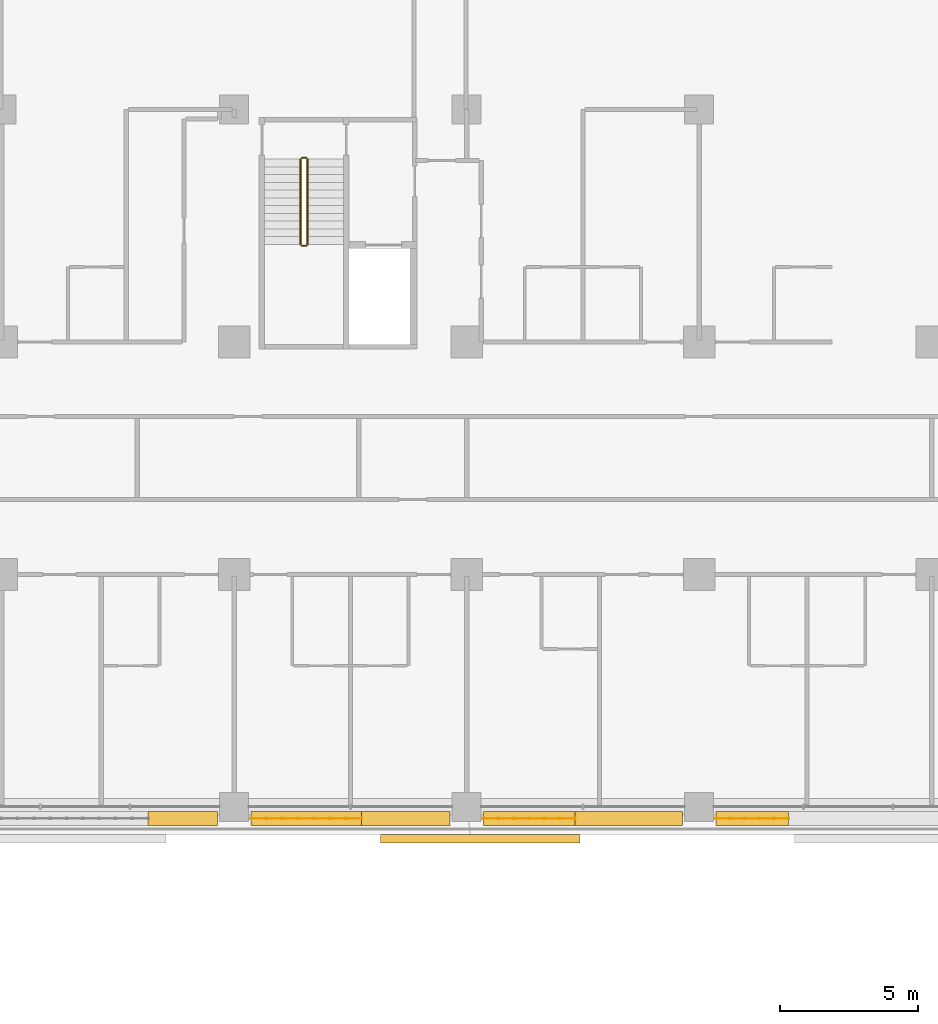
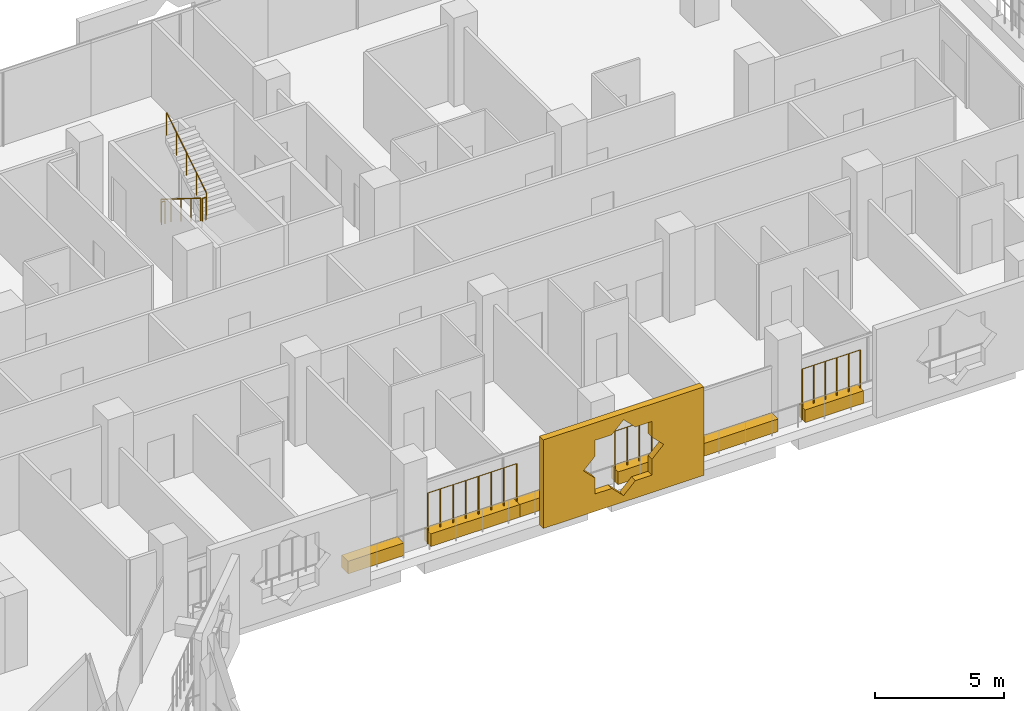
# One storey, part 23 of 25: 7 coverings, 7 railings.
"""IFC4 building model written with IfcOpenShell, lengths in metres."""

from ifc_helpers import new_model, si_unit, direction, frame, origin, origin_2d, place, context, subcontext, project, spatial, polyline, rectangle, circle, outline, extrude, material, material_profile, profile_set, type_object, element, save


model = new_model("IFC4")

# Units and contexts
model_context = context("Model", 3, precision=1e-05, world=origin(), true_north=direction((0.0, 1.0)))
body_context = subcontext(model_context, "Body", "Model", "MODEL_VIEW")
ifc_project = project(units=[si_unit("LENGTHUNIT", "METRE"), si_unit("AREAUNIT", "SQUARE_METRE"), si_unit("VOLUMEUNIT", "CUBIC_METRE"), si_unit("PLANEANGLEUNIT", "RADIAN"), si_unit("MASSUNIT", "GRAM", prefix="KILO")], contexts=[model_context])

# Site, building, storey
site_placement = place(None, origin())
site = spatial("IfcSite", under=ifc_project, at=site_placement, CompositionType="ELEMENT")
building_placement = place(site_placement, origin())
building = spatial("IfcBuilding", under=site, at=building_placement, Name="Kawkab Arch Medical Tower", CompositionType="ELEMENT")
storey_placement = place(building_placement, frame((0.0, 0.0, 136.60009765625)))
storey = spatial("IfcBuildingStorey", under=building, at=storey_placement, Name="L31", CompositionType="ELEMENT", Elevation=136.60009765625)

# Coverings
ifc_material_1 = material(Name="Bronze anodised aluminium mashrabiya panel, eight-point star pattern", Category="aluminium")
ifc_material_profile_1 = material_profile(ifc_material_1, outline(polyline([(-3.60009765625, -2.10009765625), (3.60009765625, -2.10009765625), (3.60009765625, 2.10009765625), (-3.60009765625, 2.10009765625), (-3.60009765625, -2.10009765625)]), holes=[polyline([(1.800048828125, 0.0), (1.272705078125, 0.527099609375), (1.272705078125, 1.272705078125), (0.527099609375, 1.272705078125), (0.0, 1.800048828125), (-0.527099609375, 1.272705078125), (-1.272705078125, 1.272705078125), (-1.272705078125, 0.527099609375), (-1.800048828125, 0.0), (-1.272705078125, -0.527099609375), (-1.272705078125, -1.272705078125), (-0.527099609375, -1.272705078125), (0.0, -1.800048828125), (0.527099609375, -1.272705078125), (1.272705078125, -1.272705078125), (1.272705078125, -0.527099609375), (1.800048828125, 0.0)])]), Name="Mashrabiya panel 7200x4200")
ifc_profile_set_1 = profile_set([ifc_material_profile_1], Name="Bronze anodised aluminium mashrabiya panel, eight-point star pattern")
covering_type_1 = type_object("IfcCoveringType", Name="Mashrabiya panel 7200 x 4200", PredefinedType="USERDEFINED", material=ifc_profile_set_1)
covering_1_placement = place(storey_placement, frame((50.892333984375, -26.199951171875, 1.699951171875), z_axis=(0.0, -1.0, 0.0), x_axis=(1.0, 0.0, 0.0)))
element("IfcCovering", 1, at=covering_1_placement, inside=storey, type_object=covering_type_1, Name="Mashrabiya panel L31.LOG-01-01.12", ObjectType="SCREEN", PredefinedType="USERDEFINED", context=body_context, shape_type="SweptSolid", body=[
    extrude(outline(polyline([(-3.60009765625, -2.10009765625), (3.60009765625, -2.10009765625), (3.60009765625, 2.10009765625), (-3.60009765625, 2.10009765625), (-3.60009765625, -2.10009765625)]), holes=[polyline([(1.800048828125, 0.0), (1.272705078125, 0.527099609375), (1.272705078125, 1.272705078125), (0.527099609375, 1.272705078125), (0.0, 1.800048828125), (-0.527099609375, 1.272705078125), (-1.272705078125, 1.272705078125), (-1.272705078125, 0.527099609375), (-1.800048828125, 0.0), (-1.272705078125, -0.527099609375), (-1.272705078125, -1.272705078125), (-0.527099609375, -1.272705078125), (0.0, -1.800048828125), (0.527099609375, -1.272705078125), (1.272705078125, -1.272705078125), (1.272705078125, -0.527099609375), (1.800048828125, 0.0)])]), origin(), (0.0, 0.0, 1.0), 0.300048828125),
])
ifc_material_2 = material(Name="Planting soil in a precast trough", Category="concrete")
ifc_material_profile_2 = material_profile(ifc_material_2, rectangle(XDim=0.5, YDim=0.60009765625, at=origin_2d()), Name="Trough 500x600")
ifc_profile_set_2 = profile_set([ifc_material_profile_2], Name="Planting soil in a precast trough")
covering_type_2 = type_object("IfcCoveringType", Name="Planter trough 500 x 600", PredefinedType="USERDEFINED", material=ifc_profile_set_2)
covering_2_placement = place(storey_placement, frame((62.01806640625, -25.6201171875, 0.2998046875), z_axis=(-1.0, 0.0, 0.0), x_axis=(0.0, -1.0, 0.0)))
element("IfcCovering", 2, at=covering_2_placement, inside=storey, type_object=covering_type_2, Name="Planter L31.LOG-01-01.35", ObjectType="PLANTER", PredefinedType="USERDEFINED", context=body_context, shape_type="SweptSolid", body=[
    extrude(rectangle(XDim=0.5, YDim=0.60009765625, at=origin_2d()), origin(), (0.0, 0.0, 1.0), 2.613037109375),
])
covering_3_placement = place(storey_placement, frame((58.195068359375, -25.6201171875, 0.2998046875), z_axis=(-1.0, 0.0, 0.0), x_axis=(0.0, -1.0, 0.0)))
element("IfcCovering", 3, at=covering_3_placement, inside=storey, type_object=covering_type_2, Name="Planter L31.LOG-01-01.36", ObjectType="PLANTER", PredefinedType="USERDEFINED", context=body_context, shape_type="SweptSolid", body=[
    extrude(rectangle(XDim=0.5, YDim=0.60009765625, at=origin_2d()), origin(), (0.0, 0.0, 1.0), 3.885986328125),
])
covering_4_placement = place(storey_placement, frame((54.30908203125, -25.6201171875, 0.2998046875), z_axis=(-1.0, 0.0, 0.0), x_axis=(0.0, -1.0, 0.0)))
element("IfcCovering", 4, at=covering_4_placement, inside=storey, type_object=covering_type_2, Name="Planter L31.LOG-01-01.37", ObjectType="PLANTER", PredefinedType="USERDEFINED", context=body_context, shape_type="SweptSolid", body=[
    extrude(rectangle(XDim=0.5, YDim=0.60009765625, at=origin_2d()), origin(), (0.0, 0.0, 1.0), 3.30419921875),
])
covering_5_placement = place(storey_placement, frame((49.794921875, -25.6201171875, 0.2998046875), z_axis=(-1.0, 0.0, 0.0), x_axis=(0.0, -1.0, 0.0)))
element("IfcCovering", 5, at=covering_5_placement, inside=storey, type_object=covering_type_2, Name="Planter L31.LOG-01-01.38", ObjectType="PLANTER", PredefinedType="USERDEFINED", context=body_context, shape_type="SweptSolid", body=[
    extrude(rectangle(XDim=0.5, YDim=0.60009765625, at=origin_2d()), origin(), (0.0, 0.0, 1.0), 3.19384765625),
])
covering_6_placement = place(storey_placement, frame((46.60107421875, -25.6201171875, 0.2998046875), z_axis=(-1.0, 0.0, 0.0), x_axis=(0.0, -1.0, 0.0)))
element("IfcCovering", 6, at=covering_6_placement, inside=storey, type_object=covering_type_2, Name="Planter L31.LOG-01-01.39", ObjectType="PLANTER", PredefinedType="USERDEFINED", context=body_context, shape_type="SweptSolid", body=[
    extrude(rectangle(XDim=0.5, YDim=0.60009765625, at=origin_2d()), origin(), (0.0, 0.0, 1.0), 3.99609375),
])
covering_7_placement = place(storey_placement, frame((41.39501953125, -25.6201171875, 0.2998046875), z_axis=(-1.0, 0.0, 0.0), x_axis=(0.0, -1.0, 0.0)))
element("IfcCovering", 7, at=covering_7_placement, inside=storey, type_object=covering_type_2, Name="Planter L31.LOG-01-01.40", ObjectType="PLANTER", PredefinedType="USERDEFINED", context=body_context, shape_type="SweptSolid", body=[
    extrude(rectangle(XDim=0.5, YDim=0.60009765625, at=origin_2d()), origin(), (0.0, 0.0, 1.0), 2.501953125),
])

# Railings
ifc_material_3 = material(Name="Bronze anodised aluminium trellis for climbing plants", Category="aluminium")
railing_type_1 = type_object("IfcRailingType", Name="Planting trellis 2400", PredefinedType="USERDEFINED", material=ifc_material_3)
railing_1_placement = place(storey_placement, frame((62.01806640625, -25.6201171875, 0.0)))
element("IfcRailing", 8, at=railing_1_placement, inside=storey, type_object=railing_type_1, Name="Planting trellis L31.LOG-01-01.35", ObjectType="TRELLIS", PredefinedType="USERDEFINED", context=body_context, shape_type="SweptSolid", body=[
    extrude(circle(Radius=0.01513671875, at=origin_2d()), frame((0.0, 0.0, 2.384765625), z_axis=(-1.0, 0.0, 0.0), x_axis=(0.0, -1.0, 0.0)), (0.0, 0.0, 1.0), 2.613037109375),
    extrude(circle(Radius=0.030029296875, at=origin_2d()), origin(), (0.0, 0.0, 1.0), 2.369873046875),
    extrude(circle(Radius=0.030029296875, at=origin_2d()), frame((-0.522705078125, 0.0, 0.0)), (0.0, 0.0, 1.0), 2.369873046875),
    extrude(circle(Radius=0.030029296875, at=origin_2d()), frame((-1.045166015625, 0.0, 0.0)), (0.0, 0.0, 1.0), 2.369873046875),
    extrude(circle(Radius=0.030029296875, at=origin_2d()), frame((-1.56787109375, 0.0, 0.0)), (0.0, 0.0, 1.0), 2.369873046875),
    extrude(circle(Radius=0.030029296875, at=origin_2d()), frame((-2.09033203125, 0.0, 0.0)), (0.0, 0.0, 1.0), 2.369873046875),
    extrude(circle(Radius=0.030029296875, at=origin_2d()), frame((-2.613037109375, 0.0, 0.0)), (0.0, 0.0, 1.0), 2.369873046875),
])
railing_2_placement = place(storey_placement, frame((54.30908203125, -25.6201171875, 0.0)))
element("IfcRailing", 9, at=railing_2_placement, inside=storey, type_object=railing_type_1, Name="Planting trellis L31.LOG-01-01.37", ObjectType="TRELLIS", PredefinedType="USERDEFINED", context=body_context, shape_type="SweptSolid", body=[
    extrude(circle(Radius=0.01513671875, at=origin_2d()), frame((0.0, 0.0, 2.384765625), z_axis=(-1.0, 0.0, 0.0), x_axis=(0.0, -1.0, 0.0)), (0.0, 0.0, 1.0), 3.30419921875),
    extrude(circle(Radius=0.030029296875, at=origin_2d()), origin(), (0.0, 0.0, 1.0), 2.369873046875),
    extrude(circle(Radius=0.030029296875, at=origin_2d()), frame((-0.55078125, 0.0, 0.0)), (0.0, 0.0, 1.0), 2.369873046875),
    extrude(circle(Radius=0.030029296875, at=origin_2d()), frame((-1.101318359375, 0.0, 0.0)), (0.0, 0.0, 1.0), 2.369873046875),
    extrude(circle(Radius=0.030029296875, at=origin_2d()), frame((-1.652099609375, 0.0, 0.0)), (0.0, 0.0, 1.0), 2.369873046875),
    extrude(circle(Radius=0.030029296875, at=origin_2d()), frame((-2.202880859375, 0.0, 0.0)), (0.0, 0.0, 1.0), 2.369873046875),
    extrude(circle(Radius=0.030029296875, at=origin_2d()), frame((-2.75341796875, 0.0, 0.0)), (0.0, 0.0, 1.0), 2.369873046875),
    extrude(circle(Radius=0.030029296875, at=origin_2d()), frame((-3.30419921875, 0.0, 0.0)), (0.0, 0.0, 1.0), 2.369873046875),
])
railing_3_placement = place(storey_placement, frame((46.60107421875, -25.6201171875, 0.0)))
element("IfcRailing", 10, at=railing_3_placement, inside=storey, type_object=railing_type_1, Name="Planting trellis L31.LOG-01-01.39", ObjectType="TRELLIS", PredefinedType="USERDEFINED", context=body_context, shape_type="SweptSolid", body=[
    extrude(circle(Radius=0.01513671875, at=origin_2d()), frame((0.0, 0.0, 2.384765625), z_axis=(-1.0, 0.0, 0.0), x_axis=(0.0, -1.0, 0.0)), (0.0, 0.0, 1.0), 3.99609375),
    extrude(circle(Radius=0.030029296875, at=origin_2d()), origin(), (0.0, 0.0, 1.0), 2.369873046875),
    extrude(circle(Radius=0.030029296875, at=origin_2d()), frame((-0.57080078125, 0.0, 0.0)), (0.0, 0.0, 1.0), 2.369873046875),
    extrude(circle(Radius=0.030029296875, at=origin_2d()), frame((-1.141845703125, 0.0, 0.0)), (0.0, 0.0, 1.0), 2.369873046875),
    extrude(circle(Radius=0.030029296875, at=origin_2d()), frame((-1.712646484375, 0.0, 0.0)), (0.0, 0.0, 1.0), 2.369873046875),
    extrude(circle(Radius=0.030029296875, at=origin_2d()), frame((-2.283447265625, 0.0, 0.0)), (0.0, 0.0, 1.0), 2.369873046875),
    extrude(circle(Radius=0.030029296875, at=origin_2d()), frame((-2.854248046875, 0.0, 0.0)), (0.0, 0.0, 1.0), 2.369873046875),
    extrude(circle(Radius=0.030029296875, at=origin_2d()), frame((-3.42529296875, 0.0, 0.0)), (0.0, 0.0, 1.0), 2.369873046875),
    extrude(circle(Radius=0.030029296875, at=origin_2d()), frame((-3.99609375, 0.0, 0.0)), (0.0, 0.0, 1.0), 2.369873046875),
])
ifc_material_4 = material(Name="Stainless steel", Category="steel")
railing_type_2 = type_object("IfcRailingType", Name="Stair guard 1100", PredefinedType="GUARDRAIL", material=ifc_material_4)
railing_4_placement = place(storey_placement, frame((44.39990234375, -1.800048828125, 0.1748046875)))
element("IfcRailing", 11, at=railing_4_placement, inside=storey, type_object=railing_type_2, Name="L31 ST5 stair guard 1", PredefinedType="GUARDRAIL", context=body_context, shape_type="SweptSolid", body=[
    extrude(circle(Radius=0.02392578125, at=origin_2d()), frame((0.0, 0.0, 1.076171875), z_axis=(0.0, -0.847979421464, 0.530029150871), x_axis=(1.0, 0.0, 0.0)), (0.0, 0.0, 1.0), 3.632080078125),
    extrude(circle(Radius=0.02099609375, at=origin_2d()), origin(), (0.0, 0.0, 1.0), 1.052001953125),
    extrude(circle(Radius=0.02099609375, at=origin_2d()), frame((0.0, -0.77001953125, 0.481201171875)), (0.0, 0.0, 1.0), 1.052001953125),
    extrude(circle(Radius=0.02099609375, at=origin_2d()), frame((0.0, -1.5400390625, 0.96240234375)), (0.0, 0.0, 1.0), 1.052001953125),
    extrude(circle(Radius=0.02099609375, at=origin_2d()), frame((0.0, -2.309814453125, 1.44384765625)), (0.0, 0.0, 1.0), 1.052001953125),
    extrude(circle(Radius=0.02099609375, at=origin_2d()), frame((0.0, -3.079833984375, 1.925048828125)), (0.0, 0.0, 1.0), 1.052001953125),
])
railing_5_placement = place(storey_placement, frame((44.449951171875, -4.929931640625, 2.099853515625)))
element("IfcRailing", 12, at=railing_5_placement, inside=storey, type_object=railing_type_2, Name="L31 ST5 stair guard 2", PredefinedType="GUARDRAIL", context=body_context, shape_type="SweptSolid", body=[
    extrude(circle(Radius=0.02392578125, at=origin_2d()), frame((0.0, 0.0, 1.076171875), z_axis=(1.0, 0.0, 0.0), x_axis=(0.0, 1.0, 0.0)), (0.0, 0.0, 1.0), 0.150146484375),
    extrude(circle(Radius=0.02099609375, at=origin_2d()), origin(), (0.0, 0.0, 1.0), 1.052001953125),
    extrude(circle(Radius=0.02099609375, at=origin_2d()), frame((0.150146484375, 0.0, 0.0)), (0.0, 0.0, 1.0), 1.052001953125),
])
railing_6_placement = place(storey_placement, frame((44.64990234375, -4.8798828125, 2.27490234375)))
element("IfcRailing", 13, at=railing_6_placement, inside=storey, type_object=railing_type_2, Name="L31 ST5 stair guard 3", PredefinedType="GUARDRAIL", context=body_context, shape_type="SweptSolid", body=[
    extrude(circle(Radius=0.02392578125, at=origin_2d()), frame((0.0, 0.0, 1.076171875), z_axis=(0.0, 0.847979421464, 0.530029150871), x_axis=(-1.0, 0.0, 0.0)), (0.0, 0.0, 1.0), 3.632080078125),
    extrude(circle(Radius=0.02099609375, at=origin_2d()), origin(), (0.0, 0.0, 1.0), 1.052001953125),
    extrude(circle(Radius=0.02099609375, at=origin_2d()), frame((0.0, 0.77001953125, 0.481201171875)), (0.0, 0.0, 1.0), 1.052001953125),
    extrude(circle(Radius=0.02099609375, at=origin_2d()), frame((0.0, 1.5400390625, 0.96240234375)), (0.0, 0.0, 1.0), 1.052001953125),
    extrude(circle(Radius=0.02099609375, at=origin_2d()), frame((0.0, 2.309814453125, 1.44384765625)), (0.0, 0.0, 1.0), 1.052001953125),
    extrude(circle(Radius=0.02099609375, at=origin_2d()), frame((0.0, 3.079833984375, 1.925048828125)), (0.0, 0.0, 1.0), 1.052001953125),
])
railing_7_placement = place(storey_placement, frame((44.449951171875, -1.75, 0.0)))
element("IfcRailing", 14, at=railing_7_placement, inside=storey, type_object=railing_type_2, Name="L31 ST5 stair guard 4", PredefinedType="GUARDRAIL", context=body_context, shape_type="SweptSolid", body=[
    extrude(circle(Radius=0.02392578125, at=origin_2d()), frame((0.0, 0.0, 1.076171875), z_axis=(1.0, 0.0, 0.0), x_axis=(0.0, 1.0, 0.0)), (0.0, 0.0, 1.0), 0.150146484375),
    extrude(circle(Radius=0.02099609375, at=origin_2d()), origin(), (0.0, 0.0, 1.0), 1.052001953125),
    extrude(circle(Radius=0.02099609375, at=origin_2d()), frame((0.150146484375, 0.0, 0.0)), (0.0, 0.0, 1.0), 1.052001953125),
])

save(model, "model.ifc")
